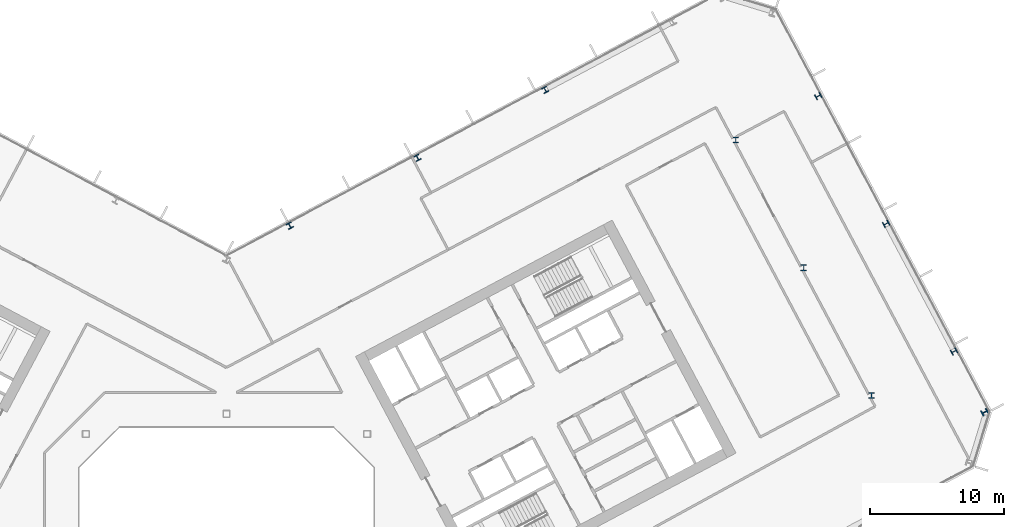
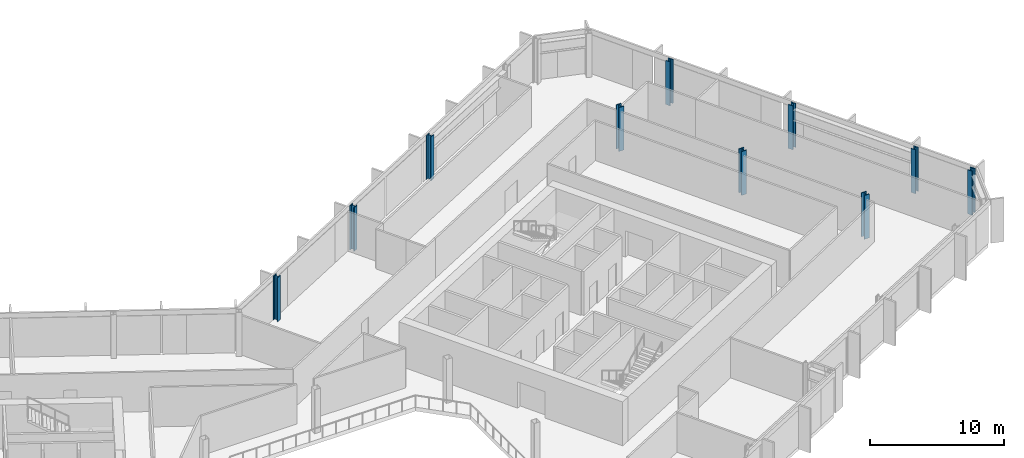
# One storey, part 7 of 28: 10 columns.
"""IFC4 building model written with IfcOpenShell, lengths in metres."""

from ifc_helpers import new_model, si_unit, direction, frame, origin, origin_2d, place, context, subcontext, project, spatial, i_section, extrude, material, material_profile, profile_set, type_object, element, save


model = new_model("IFC4")

# Units and contexts
model_context = context("Model", 3, precision=1e-05, world=origin(), true_north=direction((0.0, 1.0)))
body_context = subcontext(model_context, "Body", "Model", "MODEL_VIEW")
ifc_project = project(units=[si_unit("LENGTHUNIT", "METRE"), si_unit("AREAUNIT", "SQUARE_METRE"), si_unit("VOLUMEUNIT", "CUBIC_METRE"), si_unit("PLANEANGLEUNIT", "RADIAN"), si_unit("MASSUNIT", "GRAM", prefix="KILO")], contexts=[model_context])

# Site, building, storey
site_placement = place(None, origin())
site = spatial("IfcSite", under=ifc_project, at=site_placement, CompositionType="ELEMENT")
building_placement = place(site_placement, origin())
building = spatial("IfcBuilding", under=site, at=building_placement, Name="Cormorant Relay Tower", CompositionType="ELEMENT")
storey_placement = place(building_placement, frame((0.0, 0.0, 174.199951171875)))
storey = spatial("IfcBuildingStorey", under=building, at=storey_placement, Name="L37", CompositionType="ELEMENT", Elevation=174.199951171875)

# Columns
ifc_material_1 = material(Name="Steel ASTM A992 (Fy 345 MPa)", Category="steel")
ifc_material_profile_1 = material_profile(ifc_material_1, i_section(OverallWidth=0.41162109375, OverallDepth=0.434326171875, WebThickness=0.035888671875, FlangeThickness=0.057373046875, FilletRadius=0.01513671875, at=origin_2d()), Name="W360x463")
ifc_profile_set_1 = profile_set([ifc_material_profile_1], Name="Steel ASTM A992 (Fy 345 MPa)")
column_type_1 = type_object("IfcColumnType", Name="Column W360x463", PredefinedType="COLUMN", material=ifc_profile_set_1)
for number, where, z_axis, x_axis, name in (
    (1, (54.321044921875, 16.65087890625, 0.0), (0.0, 0.0, 1.0), (-0.469471562786, 0.882947592859, 0.0), "Column L37-029"),
    (2, (4.72509765625, 26.047119140625, 0.0), (0.0, 0.0, 1.0), (-0.882947592859, -0.469471562786, 0.0), "Column L37-034"),
    (3, (49.2509765625, 26.18701171875, 0.0), (0.0, 0.0, 1.0), (-0.469471562786, 0.882947592859, 0.0), "Column L37-035"),
    (4, (14.260986328125, 31.116943359375, 0.0), (0.0, 0.0, 1.0), (-0.882947592859, -0.469471562786, 0.0), "Column L37-038"),
    (5, (44.180908203125, 35.722900390625, 0.0), (0.0, 0.0, 1.0), (-0.469471562786, 0.882947592859, 0.0), "Column L37-042"),
    (6, (23.7958984375, 36.18798828125, 0.0), (0.0, 0.0, 1.0), (-0.882947592859, -0.469471562786, 0.0), "Column L37-043"),
):
    element("IfcColumn", number, at=place(storey_placement, frame(where, z_axis=z_axis, x_axis=x_axis)), inside=storey, type_object=column_type_1, Name=name, PredefinedType="COLUMN", context=body_context, shape_type="SweptSolid", body=[
        extrude(i_section(OverallWidth=0.41162109375, OverallDepth=0.434326171875, WebThickness=0.035888671875, FlangeThickness=0.057373046875, FilletRadius=0.01513671875, at=origin_2d()), origin(), (0.0, 0.0, 1.0), 4.0),
    ])
ifc_material_2 = material(Name="Steel ASTM A992 (Fy 345 MPa)", Category="steel")
ifc_material_profile_2 = material_profile(ifc_material_2, i_section(OverallWidth=0.42431640625, OverallDepth=0.47509765625, WebThickness=0.0478515625, FlangeThickness=0.0771484375, FilletRadius=0.014892578125, at=origin_2d()), Name="W360x634")
ifc_profile_set_2 = profile_set([ifc_material_profile_2], Name="Steel ASTM A992 (Fy 345 MPa)")
column_type_2 = type_object("IfcColumnType", Name="Column W360x634", PredefinedType="COLUMN", material=ifc_profile_set_2)
for number, where, z_axis, x_axis, name in (
    (7, (56.60791015625, 12.1298828125, 0.0), (0.0, 0.0, 1.0), (-0.469471562786, 0.882947592859, 0.0), "Column L37-026"),
    (8, (48.157958984375, 13.3740234375, 0.0), (0.0, 0.0, 1.0), (1.0, 0.0, 0.0), "Column L37-027"),
    (9, (43.087890625, 22.909912109375, 0.0), (0.0, 0.0, 1.0), (1.0, 0.0, 0.0), "Column L37-031"),
    (10, (38.01806640625, 32.446044921875, 0.0), (0.0, 0.0, 1.0), (1.0, 0.0, 0.0), "Column L37-039"),
):
    element("IfcColumn", number, at=place(storey_placement, frame(where, z_axis=z_axis, x_axis=x_axis)), inside=storey, type_object=column_type_2, Name=name, PredefinedType="COLUMN", context=body_context, shape_type="SweptSolid", body=[
        extrude(i_section(OverallWidth=0.42431640625, OverallDepth=0.47509765625, WebThickness=0.0478515625, FlangeThickness=0.0771484375, FilletRadius=0.014892578125, at=origin_2d()), origin(), (0.0, 0.0, 1.0), 4.0),
    ])

save(model, "model.ifc")
